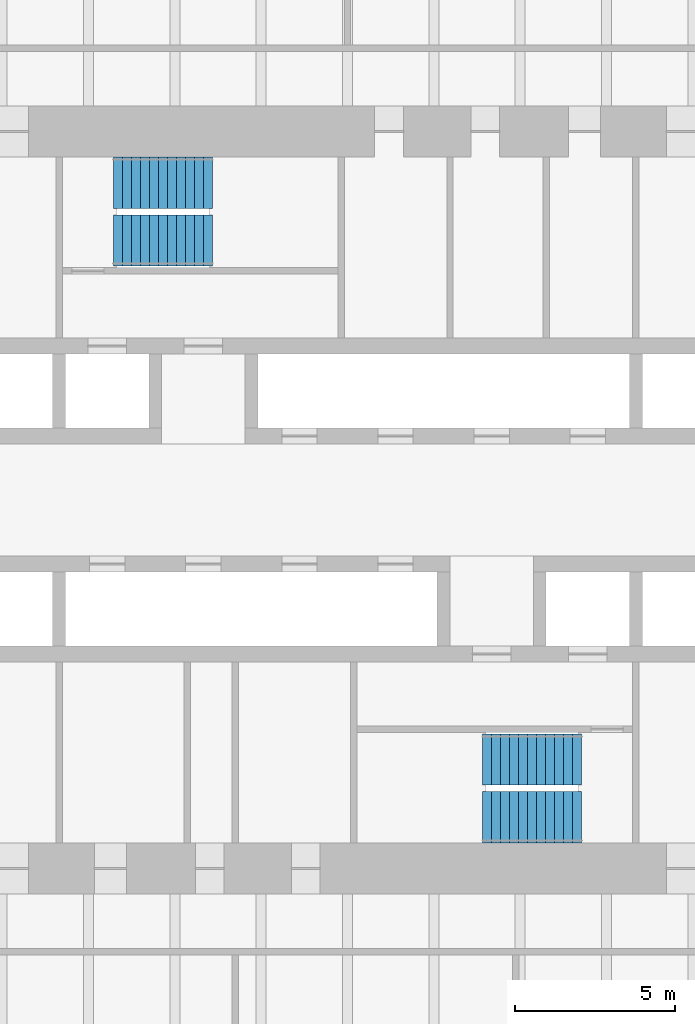
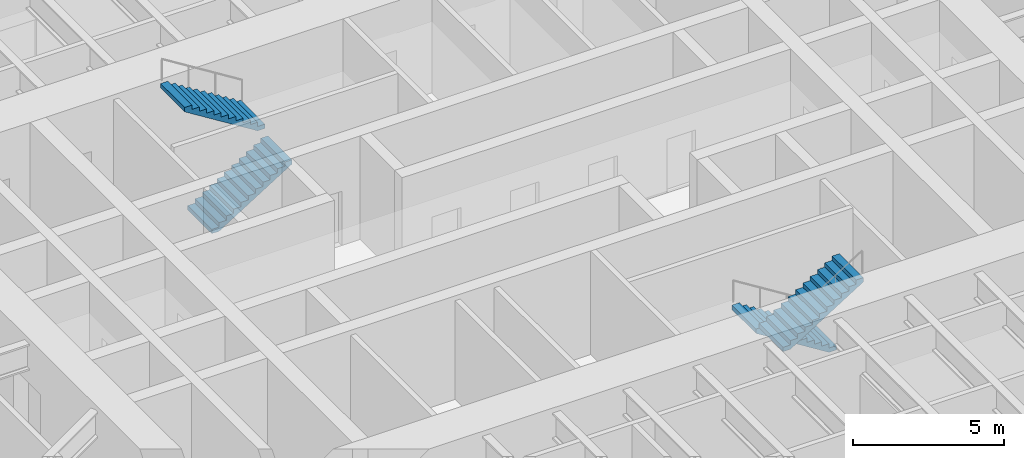
# One storey, part 20 of 23: 4 stair flights, 2 elements without a shape of their own.
"""IFC4 building model written with IfcOpenShell, lengths in metres."""

from ifc_helpers import new_model, si_unit, direction, frame, origin, place, context, subcontext, project, spatial, polyline, outline, extrude, material, type_object, element, aggregate, save


model = new_model("IFC4")

# Units and contexts
model_context = context("Model", 3, precision=1e-05, world=origin(), true_north=direction((0.0, 1.0)))
body_context = subcontext(model_context, "Body", "Model", "MODEL_VIEW")
ifc_project = project(units=[si_unit("LENGTHUNIT", "METRE"), si_unit("AREAUNIT", "SQUARE_METRE"), si_unit("VOLUMEUNIT", "CUBIC_METRE"), si_unit("PLANEANGLEUNIT", "RADIAN"), si_unit("MASSUNIT", "GRAM", prefix="KILO")], contexts=[model_context])

# Site, building, storey
site_placement = place(None, origin())
site = spatial("IfcSite", under=ifc_project, at=site_placement, CompositionType="ELEMENT")
building_placement = place(site_placement, origin())
building = spatial("IfcBuilding", under=site, at=building_placement, Name="Tarfa Lantern Tower", CompositionType="ELEMENT")
storey_placement = place(building_placement, frame((0.0, 0.0, 31.89990234375)))
storey = spatial("IfcBuildingStorey", under=building, at=storey_placement, Name="L06", CompositionType="ELEMENT", Elevation=31.89990234375)

# Stair, stair flights
ifc_material = material(Name="Concrete C40/50", Category="concrete")
stair_type = type_object("IfcStairType", Name="ST-T10 HALF-TURN STAIR 4200 RISE", PredefinedType="HALF_TURN_STAIR", material=ifc_material)
stair_1_placement = place(storey_placement, origin())
stair_1 = element("IfcStair", 1, at=stair_1_placement, inside=storey, type_object=stair_type, Name="Stair ST1", PredefinedType="HALF_TURN_STAIR")
stair_flight_type = type_object("IfcStairFlightType", Name="SF1 STAIR FLIGHT", PredefinedType="STRAIGHT", material=ifc_material)
stair_flight_1_placement = place(storey_placement, frame((-7.300048828125, 8.10009765625, 0.0), z_axis=(0.0, 0.0, 1.0), x_axis=(1.0, 0.0, 0.0)))
stair_flight_1 = element("IfcStairFlight", 2, at=stair_flight_1_placement, type_object=stair_flight_type, Name="ST1 flight 1", NumberOfRisers=12, NumberOfTreads=11, PredefinedType="STRAIGHT", RiserHeight=0.175, TreadLength=0.28, context=body_context, shape_type="SweptSolid", body=[
    extrude(outline(polyline([(0.0, 0.0), (0.0, 0.175048828125), (0.280029296875, 0.175048828125), (0.280029296875, 0.35009765625), (0.56005859375, 0.35009765625), (0.56005859375, 0.52490234375), (0.840087890625, 0.52490234375), (0.840087890625, 0.699951171875), (1.1201171875, 0.699951171875), (1.1201171875, 0.875), (1.39990234375, 0.875), (1.39990234375, 1.050048828125), (1.679931640625, 1.050048828125), (1.679931640625, 1.22509765625), (1.9599609375, 1.22509765625), (1.9599609375, 1.39990234375), (2.239990234375, 1.39990234375), (2.239990234375, 1.574951171875), (2.52001953125, 1.574951171875), (2.52001953125, 1.75), (2.800048828125, 1.75), (2.800048828125, 1.925048828125), (3.080078125, 1.925048828125), (3.080078125, 2.10009765625), (3.080078125, 1.748291015625), (0.28271484375, 0.0), (0.0, 0.0)])), frame((0.0, 0.800048828125, 0.0), z_axis=(0.0, -1.0, 0.0), x_axis=(1.0, 0.0, 0.0)), (0.0, 0.0, 1.0), 1.60009765625),
])
stair_flight_2_placement = place(storey_placement, frame((-4.219970703125, 9.89990234375, 2.10009765625), z_axis=(0.0, 0.0, 1.0), x_axis=(-1.0, 0.0, 0.0)))
stair_flight_2 = element("IfcStairFlight", 3, at=stair_flight_2_placement, type_object=stair_flight_type, Name="ST1 flight 2", NumberOfRisers=12, NumberOfTreads=11, PredefinedType="STRAIGHT", RiserHeight=0.175, TreadLength=0.28, context=body_context, shape_type="SweptSolid", body=[
    extrude(outline(polyline([(0.0, 0.0), (0.0, 0.175048828125), (0.280029296875, 0.175048828125), (0.280029296875, 0.35009765625), (0.56005859375, 0.35009765625), (0.56005859375, 0.52490234375), (0.840087890625, 0.52490234375), (0.840087890625, 0.699951171875), (1.1201171875, 0.699951171875), (1.1201171875, 0.875), (1.39990234375, 0.875), (1.39990234375, 1.050048828125), (1.679931640625, 1.050048828125), (1.679931640625, 1.22509765625), (1.9599609375, 1.22509765625), (1.9599609375, 1.39990234375), (2.239990234375, 1.39990234375), (2.239990234375, 1.574951171875), (2.52001953125, 1.574951171875), (2.52001953125, 1.75), (2.800048828125, 1.75), (2.800048828125, 1.925048828125), (3.080078125, 1.925048828125), (3.080078125, 2.10009765625), (3.080078125, 1.748291015625), (0.28271484375, 0.0), (0.0, 0.0)])), frame((0.0, 0.800048828125, 0.0), z_axis=(0.0, -1.0, 0.0), x_axis=(1.0, 0.0, 0.0)), (0.0, 0.0, 1.0), 1.60009765625),
])
aggregate(stair_1, [stair_flight_1, stair_flight_2])

stair_2_placement = place(storey_placement, origin())
stair_2 = element("IfcStair", 4, at=stair_2_placement, inside=storey, type_object=stair_type, Name="Stair ST2", PredefinedType="HALF_TURN_STAIR")
stair_flight_3_placement = place(storey_placement, frame((7.300048828125, -8.10009765625, 0.0), z_axis=(0.0, 0.0, 1.0), x_axis=(-1.0, 0.0, 0.0)))
stair_flight_3 = element("IfcStairFlight", 5, at=stair_flight_3_placement, type_object=stair_flight_type, Name="ST2 flight 1", NumberOfRisers=12, NumberOfTreads=11, PredefinedType="STRAIGHT", RiserHeight=0.175, TreadLength=0.28, context=body_context, shape_type="SweptSolid", body=[
    extrude(outline(polyline([(0.0, 0.0), (0.0, 0.175048828125), (0.280029296875, 0.175048828125), (0.280029296875, 0.35009765625), (0.56005859375, 0.35009765625), (0.56005859375, 0.52490234375), (0.840087890625, 0.52490234375), (0.840087890625, 0.699951171875), (1.1201171875, 0.699951171875), (1.1201171875, 0.875), (1.39990234375, 0.875), (1.39990234375, 1.050048828125), (1.679931640625, 1.050048828125), (1.679931640625, 1.22509765625), (1.9599609375, 1.22509765625), (1.9599609375, 1.39990234375), (2.239990234375, 1.39990234375), (2.239990234375, 1.574951171875), (2.52001953125, 1.574951171875), (2.52001953125, 1.75), (2.800048828125, 1.75), (2.800048828125, 1.925048828125), (3.080078125, 1.925048828125), (3.080078125, 2.10009765625), (3.080078125, 1.748291015625), (0.28271484375, 0.0), (0.0, 0.0)])), frame((0.0, 0.800048828125, 0.0), z_axis=(0.0, -1.0, 0.0), x_axis=(1.0, 0.0, 0.0)), (0.0, 0.0, 1.0), 1.60009765625),
])
stair_flight_4_placement = place(storey_placement, frame((4.219970703125, -9.89990234375, 2.10009765625), z_axis=(0.0, 0.0, 1.0), x_axis=(1.0, 0.0, 0.0)))
stair_flight_4 = element("IfcStairFlight", 6, at=stair_flight_4_placement, type_object=stair_flight_type, Name="ST2 flight 2", NumberOfRisers=12, NumberOfTreads=11, PredefinedType="STRAIGHT", RiserHeight=0.175, TreadLength=0.28, context=body_context, shape_type="SweptSolid", body=[
    extrude(outline(polyline([(0.0, 0.0), (0.0, 0.175048828125), (0.280029296875, 0.175048828125), (0.280029296875, 0.35009765625), (0.56005859375, 0.35009765625), (0.56005859375, 0.52490234375), (0.840087890625, 0.52490234375), (0.840087890625, 0.699951171875), (1.1201171875, 0.699951171875), (1.1201171875, 0.875), (1.39990234375, 0.875), (1.39990234375, 1.050048828125), (1.679931640625, 1.050048828125), (1.679931640625, 1.22509765625), (1.9599609375, 1.22509765625), (1.9599609375, 1.39990234375), (2.239990234375, 1.39990234375), (2.239990234375, 1.574951171875), (2.52001953125, 1.574951171875), (2.52001953125, 1.75), (2.800048828125, 1.75), (2.800048828125, 1.925048828125), (3.080078125, 1.925048828125), (3.080078125, 2.10009765625), (3.080078125, 1.748291015625), (0.28271484375, 0.0), (0.0, 0.0)])), frame((0.0, 0.800048828125, 0.0), z_axis=(0.0, -1.0, 0.0), x_axis=(1.0, 0.0, 0.0)), (0.0, 0.0, 1.0), 1.60009765625),
])
aggregate(stair_2, [stair_flight_3, stair_flight_4])

save(model, "model.ifc")
